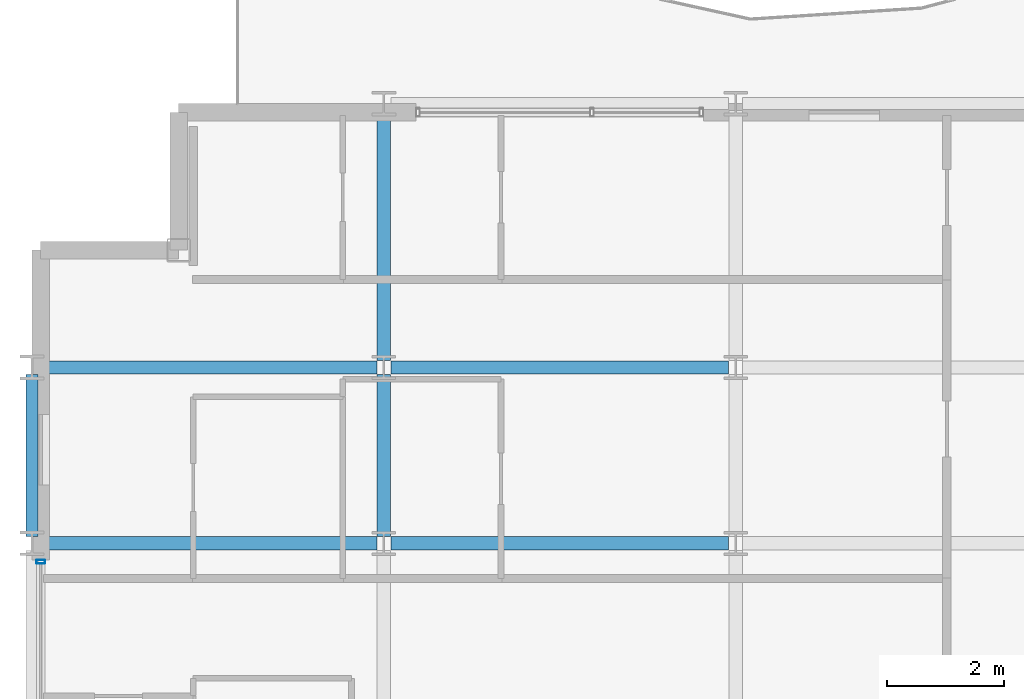
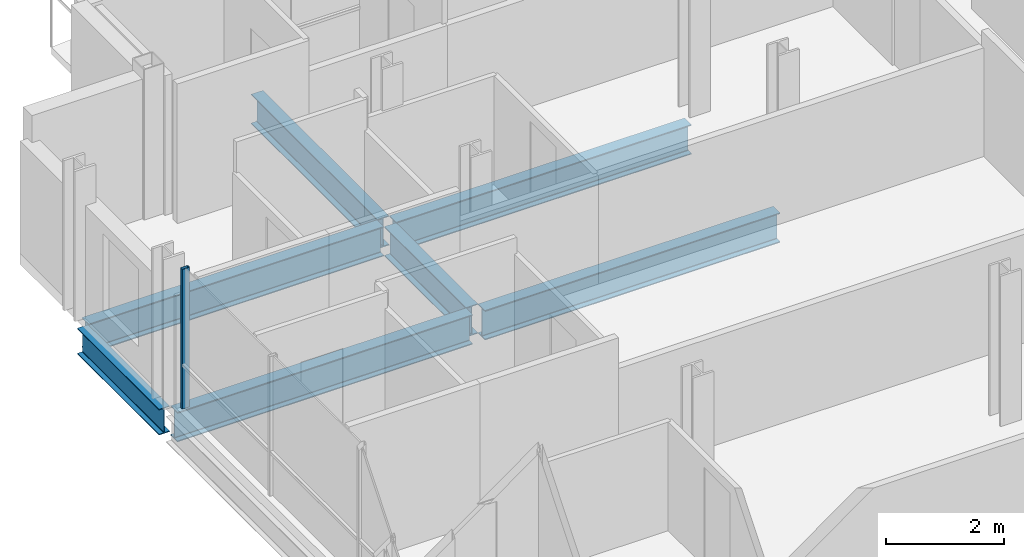
# One storey, part 9 of 41: 7 beams, 1 member, 1 element without a shape of its own.
"""IFC4 building model written with IfcOpenShell, lengths in metres."""

from ifc_helpers import new_model, si_unit, direction, frame, origin, origin_2d, place, context, subcontext, project, spatial, hollow_rectangle, i_section, extrude, material, layer, layer_set, material_profile, profile_set, type_object, element, aggregate, save


model = new_model("IFC4")

# Units and contexts
model_context = context("Model", 3, precision=1e-05, world=origin(), true_north=direction((0.0, 1.0)))
body_context = subcontext(model_context, "Body", "Model", "MODEL_VIEW")
ifc_project = project(units=[si_unit("LENGTHUNIT", "METRE"), si_unit("AREAUNIT", "SQUARE_METRE"), si_unit("VOLUMEUNIT", "CUBIC_METRE"), si_unit("PLANEANGLEUNIT", "RADIAN"), si_unit("MASSUNIT", "GRAM", prefix="KILO")], contexts=[model_context])

# Site, building, storey
site_placement = place(None, origin())
site = spatial("IfcSite", under=ifc_project, at=site_placement, CompositionType="ELEMENT")
building_placement = place(site_placement, origin())
building = spatial("IfcBuilding", under=site, at=building_placement, Name="Brevholm Reach", CompositionType="ELEMENT")
storey_placement = place(building_placement, frame((0.0, 0.0, 151.10009765625)))
storey = spatial("IfcBuildingStorey", under=building, at=storey_placement, Name="L45", CompositionType="ELEMENT", Elevation=151.10009765625)

# Beams
ifc_material_1 = material(Name="Structural Steel S355J2", Category="steel")
ifc_material_profile_1 = material_profile(ifc_material_1, i_section(OverallWidth=0.209228515625, OverallDepth=0.533203125, WebThickness=0.010009765625, FlangeThickness=0.015625, FilletRadius=0.0126953125, at=origin_2d()), Name="UKB 533x210x92")
ifc_profile_set_1 = profile_set([ifc_material_profile_1], Name="Structural Steel S355J2")
beam_type_1 = type_object("IfcBeamType", Name="BM-SP533", PredefinedType="SPANDREL", material=ifc_profile_set_1)
beam_1_placement = place(storey_placement, frame((0.0, 23.6201171875, -0.486572265625), z_axis=(0.0, 1.0, 0.0), x_axis=(-1.0, 0.0, 0.0)))
element("IfcBeam", 1, at=beam_1_placement, inside=storey, type_object=beam_type_1, Name="L45 SP-02 Framing Beam", PredefinedType="SPANDREL", context=body_context, shape_type="SweptSolid", body=[
    extrude(i_section(OverallWidth=0.209228515625, OverallDepth=0.533203125, WebThickness=0.010009765625, FlangeThickness=0.015625, FilletRadius=0.0126953125, at=origin_2d()), origin(), (0.0, 0.0, 1.0), 2.759765625),
])
ifc_material_2 = material(Name="Structural Steel S355J2", Category="steel")
ifc_material_profile_2 = material_profile(ifc_material_2, i_section(OverallWidth=0.22900390625, OverallDepth=0.6123046875, WebThickness=0.011962890625, FlangeThickness=0.01953125, FilletRadius=0.0126953125, at=origin_2d()), Name="UKB 610x229x125")
ifc_profile_set_2 = profile_set([ifc_material_profile_2], Name="Structural Steel S355J2")
beam_type_2 = type_object("IfcBeamType", Name="BM-SP610", PredefinedType="SPANDREL", material=ifc_profile_set_2)
for number, where, z_axis, x_axis, name in (
    (2, (0.1201171875, 23.5, -0.526123046875), (1.0, 0.0, 0.0), (0.0, 1.0, 0.0), "L45 SP-01 Framing Beam"),
    (3, (6.1201171875, 23.5, -0.526123046875), (1.0, 0.0, 0.0), (0.0, 1.0, 0.0), "L45 SP-01 Framing Beam"),
    (4, (0.1201171875, 26.5, -0.526123046875), (1.0, 0.0, 0.0), (0.0, 1.0, 0.0), "L45 SP-01 Framing Beam"),
    (5, (6.1201171875, 26.5, -0.526123046875), (1.0, 0.0, 0.0), (0.0, 1.0, 0.0), "L45 SP-01 Framing Beam"),
):
    element("IfcBeam", number, at=place(storey_placement, frame(where, z_axis=z_axis, x_axis=x_axis)), inside=storey, type_object=beam_type_2, Name=name, PredefinedType="SPANDREL", context=body_context, shape_type="SweptSolid", body=[
        extrude(i_section(OverallWidth=0.22900390625, OverallDepth=0.6123046875, WebThickness=0.011962890625, FlangeThickness=0.01953125, FilletRadius=0.0126953125, at=origin_2d()), origin(), (0.0, 0.0, 1.0), 5.759765625),
    ])
beam_2_placement = place(storey_placement, frame((6.0, 23.6201171875, -0.526123046875), z_axis=(0.0, 1.0, 0.0), x_axis=(-1.0, 0.0, 0.0)))
element("IfcBeam", 6, at=beam_2_placement, inside=storey, type_object=beam_type_2, Name="L45 SP-01 Framing Beam", PredefinedType="SPANDREL", context=body_context, shape_type="SweptSolid", body=[
    extrude(i_section(OverallWidth=0.22900390625, OverallDepth=0.6123046875, WebThickness=0.011962890625, FlangeThickness=0.01953125, FilletRadius=0.0126953125, at=origin_2d()), origin(), (0.0, 0.0, 1.0), 2.759765625),
])
beam_3_placement = place(storey_placement, frame((6.0, 26.6201171875, -0.526123046875), z_axis=(0.0, 1.0, 0.0), x_axis=(-1.0, 0.0, 0.0)))
element("IfcBeam", 7, at=beam_3_placement, inside=storey, type_object=beam_type_2, Name="L45 SP-01 Framing Beam", PredefinedType="SPANDREL", context=body_context, shape_type="SweptSolid", body=[
    extrude(i_section(OverallWidth=0.22900390625, OverallDepth=0.6123046875, WebThickness=0.011962890625, FlangeThickness=0.01953125, FilletRadius=0.0126953125, at=origin_2d()), origin(), (0.0, 0.0, 1.0), 4.259765625),
])

# Curtain wall, member
ifc_material_3 = material(Name="Dark Anodised Aluminium 6063-T6 and Solar-Control Glass", Category="aluminium")
ifc_layer = layer(ifc_material_3, 0.14990234375)
ifc_layer_set = layer_set([ifc_layer], Name="Dark Anodised Aluminium 6063-T6 and Solar-Control Glass")
curtain_wall_type = type_object("IfcCurtainWallType", Name="CW-01", PredefinedType="NOTDEFINED", material=ifc_layer_set)
curtain_wall_placement = place(storey_placement, origin())
curtain_wall = element("IfcCurtainWall", 8, at=curtain_wall_placement, inside=storey, type_object=curtain_wall_type, Name="L45 Curtain Wall CW-01", PredefinedType="NOTDEFINED")
ifc_material_4 = material(Name="Dark Anodised Aluminium 6063-T6", Category="aluminium")
ifc_material_profile_3 = material_profile(ifc_material_4, hollow_rectangle(XDim=0.06494140625, YDim=0.14990234375, WallThickness=0.0048828125, InnerFilletRadius=0.0048828125, OuterFilletRadius=0.010009765625, at=origin_2d()), Name="RHS 150x65x5")
ifc_profile_set_3 = profile_set([ifc_material_profile_3], Name="Dark Anodised Aluminium 6063-T6")
member_type = type_object("IfcMemberType", Name="CWM-150", PredefinedType="MULLION", material=ifc_profile_set_3)
member_placement = place(storey_placement, frame((0.14990234375, 23.1875, 0.0), z_axis=(0.0, 0.0, 1.0), x_axis=(0.0, -1.0, 0.0)))
member = element("IfcMember", 9, at=member_placement, type_object=member_type, Name="CM-150 Mullion 1", PredefinedType="MULLION", context=body_context, shape_type="SweptSolid", body=[
    extrude(hollow_rectangle(XDim=0.06494140625, YDim=0.14990234375, WallThickness=0.0048828125, InnerFilletRadius=0.0048828125, OuterFilletRadius=0.010009765625, at=origin_2d()), origin(), (0.0, 0.0, 1.0), 2.8798828125),
])
aggregate(curtain_wall, [member])

save(model, "model.ifc")
